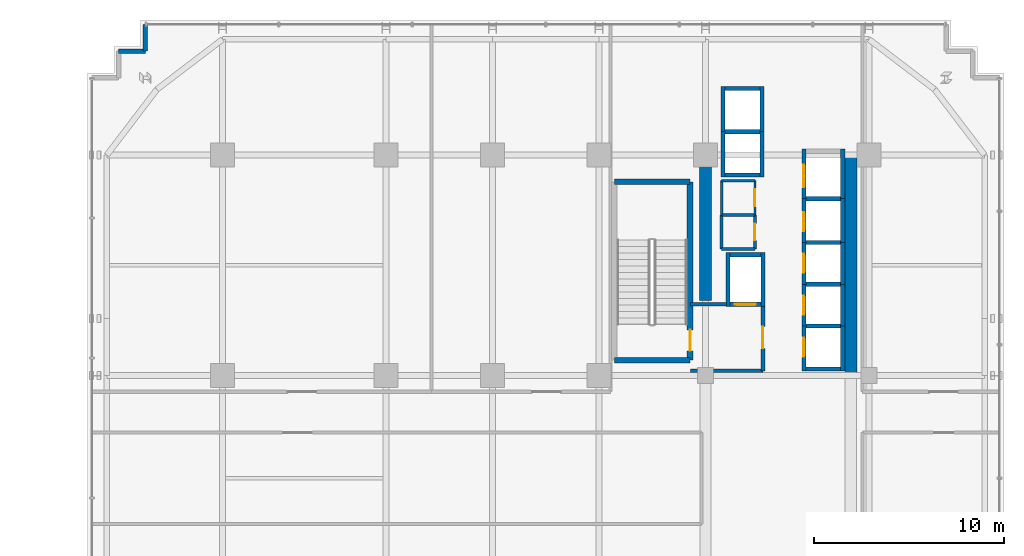
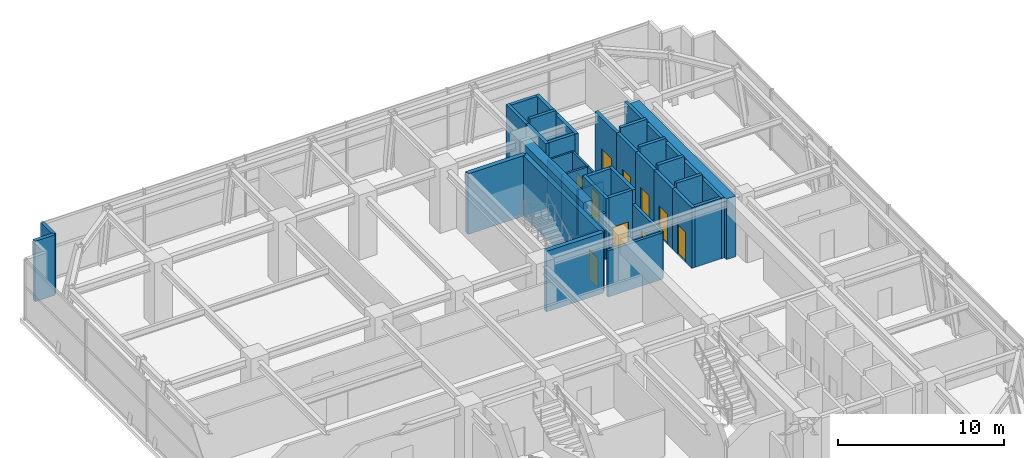
# One storey, part 22 of 26: 43 walls, 10 doors, 10 openings.
"""IFC4 building model written with IfcOpenShell, lengths in metres."""

from ifc_helpers import new_model, si_unit, direction, frame, frame_2d, origin, place, context, subcontext, project, spatial, rectangle, extrude, source, transform, mapped, material, layer, layer_set, type_object, element, fill, save


model = new_model("IFC4")

# Units and contexts
model_context = context("Model", 3, precision=1e-05, world=origin(), true_north=direction((0.0, 1.0)))
body_context = subcontext(model_context, "Body", "Model", "MODEL_VIEW")
ifc_project = project(units=[si_unit("LENGTHUNIT", "METRE"), si_unit("AREAUNIT", "SQUARE_METRE"), si_unit("VOLUMEUNIT", "CUBIC_METRE"), si_unit("PLANEANGLEUNIT", "RADIAN"), si_unit("MASSUNIT", "GRAM", prefix="KILO")], contexts=[model_context])

# Site, building, storey
site_placement = place(None, origin())
site = spatial("IfcSite", under=ifc_project, at=site_placement, CompositionType="ELEMENT")
building_placement = place(site_placement, origin())
building = spatial("IfcBuilding", under=site, at=building_placement, Name="Nahalor Promenade Grand Hotel", CompositionType="ELEMENT")
storey_placement = place(building_placement, frame((0.0, 0.0, 139.39990234375)))
storey = spatial("IfcBuildingStorey", under=building, at=storey_placement, Name="L35", CompositionType="ELEMENT", Elevation=139.39990234375)

# Walls
ifc_material_1 = material(Name="Concrete B-60 (C50/60)", Category="concrete")
ifc_layer_1 = layer(ifc_material_1, 0.64990234375)
ifc_layer_set_1 = layer_set([ifc_layer_1], Name="Concrete B-60 (C50/60)")
wall_type_1 = type_object("IfcWallType", Name="Wall-CoreShear-650", PredefinedType="SHEAR", material=ifc_layer_set_1)
shared_shape_1 = source(origin(), body_context, "Body", "SweptSolid", [
    extrude(rectangle(XDim=7.64990234375, YDim=0.64990234375, at=frame_2d((3.824951171875, 0.0))), origin(), (0.0, 0.0, 1.0), 4.440185546875),
])
wall_1_placement = place(storey_placement, frame((8.39990234375, 9.35009765625, 0.0), z_axis=(0.0, 0.0, 1.0), x_axis=(0.0, 1.0, 0.0)))
element("IfcWall", 1, at=wall_1_placement, inside=storey, type_object=wall_type_1, Name="CWALL-L35-NW", PredefinedType="SHEAR", context=body_context, shape_type="MappedRepresentation", body=[
    mapped(shared_shape_1, transform((0.0, 0.0, 0.0), scale=1.0)),
])
shared_shape_2 = source(origin(), body_context, "Body", "SweptSolid", [
    extrude(rectangle(XDim=11.60009765625, YDim=0.64990234375, at=frame_2d((5.800048828125, 0.0))), origin(), (0.0, 0.0, 1.0), 4.440185546875),
])
wall_2_placement = place(storey_placement, frame((16.050048828125, 5.39990234375, 0.0), z_axis=(0.0, 0.0, 1.0), x_axis=(0.0, 1.0, 0.0)))
element("IfcWall", 2, at=wall_2_placement, inside=storey, type_object=wall_type_1, Name="CWALL-L35-NE", PredefinedType="SHEAR", context=body_context, shape_type="MappedRepresentation", body=[
    mapped(shared_shape_2, transform((0.0, 0.0, 0.0), scale=1.0)),
])
ifc_material_2 = material(Name="Concrete B-50 (C40/50)", Category="concrete")
ifc_layer_2 = layer(ifc_material_2, 0.300048828125)
ifc_layer_set_2 = layer_set([ifc_layer_2], Name="Concrete B-50 (C40/50)")
wall_type_2 = type_object("IfcWallType", Name="Wall-ShaftShear-300", PredefinedType="SHEAR", material=ifc_layer_set_2)
shared_shape_3 = source(origin(), body_context, "Body", "SweptSolid", [
    extrude(rectangle(XDim=3.97998046875, YDim=0.300048828125, at=frame_2d((1.989990234375, 0.0))), origin(), (0.0, 0.0, 1.0), 4.440185546875),
])
for number, where, z_axis, x_axis, name in (
    (3, (3.610107421875, 6.2099609375, 0.0), (0.0, 0.0, 1.0), (1.0, 0.0, 0.0), "L35 Exit Stair ST1 Shaft Wall S"),
    (4, (3.610107421875, 15.590087890625, 0.0), (0.0, 0.0, 1.0), (1.0, 0.0, 0.0), "L35 Exit Stair ST1 Shaft Wall N"),
):
    element("IfcWall", number, at=place(storey_placement, frame(where, z_axis=z_axis, x_axis=x_axis)), inside=storey, type_object=wall_type_2, Name=name, PredefinedType="SHEAR", context=body_context, shape_type="MappedRepresentation", body=[
        mapped(shared_shape_3, transform((0.0, 0.0, 0.0), scale=1.0)),
    ])

# Wall, opening, door
shared_shape_4 = source(origin(), body_context, "Body", "SweptSolid", [
    extrude(rectangle(XDim=9.380126953125, YDim=0.300048828125, at=frame_2d((4.68994140625, 0.0))), origin(), (0.0, 0.0, 1.0), 4.440185546875),
])
wall_3_placement = place(storey_placement, frame((7.590087890625, 6.2099609375, 0.0), z_axis=(0.0, 0.0, 1.0), x_axis=(0.0, 1.0, 0.0)))
wall_3 = element("IfcWall", 5, at=wall_3_placement, inside=storey, type_object=wall_type_2, Name="L35 Exit Stair ST1 Shaft Wall E", PredefinedType="SHEAR", context=body_context, shape_type="MappedRepresentation", body=[
    mapped(shared_shape_4, transform((0.0, 0.0, 0.0), scale=1.0)),
])
opening_1_placement = place(wall_3_placement, frame((0.489990234375, 0.0, 0.0)))
opening_1 = element("IfcOpeningElement", 6, at=opening_1_placement, cuts=wall_3, Name="Opening D-ST1", PredefinedType="OPENING", context=body_context, shape_type="SweptSolid", body=[
    extrude(rectangle(XDim=1.10009765625, YDim=2.14990234375, at=frame_2d((0.550048828125, 1.074951171875))), frame((0.0, 0.159912109375, 0.0), z_axis=(0.0, -1.0, 0.0), x_axis=(1.0, 0.0, 0.0)), (0.0, 0.0, 1.0), 0.320068359375),
])
ifc_material_3 = material(Name="Steel S355JR", Category="steel")
door_type_1 = type_object("IfcDoorType", Name="Door-StairFire-1100", OperationType="NOTDEFINED", PredefinedType="DOOR", material=ifc_material_3)
shared_shape_5 = source(origin(), body_context, "Body", "SweptSolid", [
    extrude(rectangle(XDim=1.10009765625, YDim=2.14990234375, at=frame_2d((0.550048828125, 1.074951171875))), frame((0.0, 0.02490234375, 0.0), z_axis=(0.0, -1.0, 0.0), x_axis=(1.0, 0.0, 0.0)), (0.0, 0.0, 1.0), 0.050048828125),
])
door_1_placement = place(opening_1_placement, origin())
door_1 = element("IfcDoor", 7, at=door_1_placement, inside=storey, type_object=door_type_1, Name="DR-STAIR-ST1-L35", OperationType="SINGLE_SWING_RIGHT", OverallHeight=2.14990234375, OverallWidth=1.10009765625, PredefinedType="DOOR", context=body_context, shape_type="MappedRepresentation", body=[
    mapped(shared_shape_5, transform((0.0, 0.0, 0.0), scale=1.0)),
])
fill(opening_1, door_1)

# Walls
ifc_layer_3 = layer(ifc_material_2, 0.219970703125)
ifc_layer_set_3 = layer_set([ifc_layer_3], Name="Concrete B-50 (C40/50)")
wall_type_3 = type_object("IfcWallType", Name="Wall-LiftShaft-220", PredefinedType="SHEAR", material=ifc_layer_set_3)
shared_shape_6 = source(origin(), body_context, "Body", "SweptSolid", [
    extrude(rectangle(XDim=1.820068359375, YDim=0.219970703125, at=frame_2d((0.91015625, 0.0))), origin(), (0.0, 0.0, 1.0), 4.800048828125),
])
for number, where, z_axis, x_axis, name in (
    (8, (13.68994140625, 8.0, 0.0), (0.0, 0.0, 1.0), (1.0, 0.0, 0.0), "L35 Lift PL1 Hoistway Wall N"),
    (9, (13.68994140625, 10.199951171875, 0.0), (0.0, 0.0, 1.0), (1.0, 0.0, 0.0), "L35 Lift PL2 Hoistway Wall N"),
    (10, (13.68994140625, 12.39990234375, 0.0), (0.0, 0.0, 1.0), (1.0, 0.0, 0.0), "L35 Lift PL3 Hoistway Wall N"),
    (11, (13.68994140625, 14.699951171875, 0.0), (0.0, 0.0, 1.0), (1.0, 0.0, 0.0), "L35 Lift PL4 Hoistway Wall N"),
    (12, (9.43994140625, 18.22509765625, 0.0), (0.0, 0.0, 1.0), (1.0, 0.0, 0.0), "L35 Lift OB1 Hoistway Wall N"),
):
    element("IfcWall", number, at=place(storey_placement, frame(where, z_axis=z_axis, x_axis=x_axis)), inside=storey, type_object=wall_type_3, Name=name, PredefinedType="SHEAR", context=body_context, shape_type="MappedRepresentation", body=[
        mapped(shared_shape_6, transform((0.0, 0.0, 0.0), scale=1.0)),
    ])

# Wall, opening, door
shared_shape_7 = source(origin(), body_context, "Body", "SweptSolid", [
    extrude(rectangle(XDim=2.360107421875, YDim=0.219970703125, at=frame_2d((1.18017578125, 0.0))), origin(), (0.0, 0.0, 1.0), 4.440185546875),
])
wall_4_placement = place(storey_placement, frame((13.580078125, 5.639892578125, 0.0), z_axis=(0.0, 0.0, 1.0), x_axis=(0.0, 1.0, 0.0)))
wall_4 = element("IfcWall", 13, at=wall_4_placement, inside=storey, type_object=wall_type_3, Name="L35 Lift PL1 Hoistway Wall W", PredefinedType="SHEAR", context=body_context, shape_type="MappedRepresentation", body=[
    mapped(shared_shape_7, transform((0.0, 0.0, 0.0), scale=1.0)),
])
opening_2_placement = place(wall_4_placement, frame((0.760009765625, 0.0, 0.0)))
opening_2 = element("IfcOpeningElement", 14, at=opening_2_placement, cuts=wall_4, Name="Opening LD-01", PredefinedType="OPENING", context=body_context, shape_type="SweptSolid", body=[
    extrude(rectangle(XDim=1.0, YDim=2.199951171875, at=frame_2d((0.5, 1.10009765625))), frame((0.0, 0.119873046875, 0.0), z_axis=(0.0, -1.0, 0.0), x_axis=(1.0, 0.0, 0.0)), (0.0, 0.0, 1.0), 0.239990234375),
])
door_type_2 = type_object("IfcDoorType", Name="Door-LiftLanding-1000", OperationType="DOUBLE_DOOR_SLIDING", PredefinedType="DOOR", material=ifc_material_3)
shared_shape_8 = source(origin(), body_context, "Body", "SweptSolid", [
    extrude(rectangle(XDim=1.0, YDim=2.199951171875, at=frame_2d((0.5, 1.10009765625))), frame((0.0, 0.02490234375, 0.0), z_axis=(0.0, -1.0, 0.0), x_axis=(1.0, 0.0, 0.0)), (0.0, 0.0, 1.0), 0.050048828125),
])
door_2_placement = place(opening_2_placement, origin())
door_2 = element("IfcDoor", 15, at=door_2_placement, inside=storey, type_object=door_type_2, Name="DR-LIFT-PL1-L35", OperationType="DOUBLE_DOOR_SLIDING", OverallHeight=2.199951171875, OverallWidth=1.0, PredefinedType="DOOR", context=body_context, shape_type="MappedRepresentation", body=[
    mapped(shared_shape_8, transform((0.0, 0.0, 0.0), scale=1.0)),
])
fill(opening_2, door_2)

# Walls
wall_5_placement = place(storey_placement, frame((15.6201171875, 5.639892578125, 0.0), z_axis=(0.0, 0.0, 1.0), x_axis=(0.0, 1.0, 0.0)))
element("IfcWall", 16, at=wall_5_placement, inside=storey, type_object=wall_type_3, Name="L35 Lift PL1 Hoistway Wall E", PredefinedType="SHEAR", context=body_context, shape_type="MappedRepresentation", body=[
    mapped(shared_shape_7, transform((0.0, 0.0, 0.0), scale=1.0)),
])
shared_shape_9 = source(origin(), body_context, "Body", "SweptSolid", [
    extrude(rectangle(XDim=1.820068359375, YDim=0.219970703125, at=frame_2d((0.91015625, 0.0))), origin(), (0.0, 0.0, 1.0), 4.440185546875),
])
for number, where, z_axis, x_axis, name in (
    (17, (13.68994140625, 5.75, 0.0), (0.0, 0.0, 1.0), (1.0, 0.0, 0.0), "L35 Lift PL1 Hoistway Wall S"),
    (18, (9.43994140625, 15.949951171875, 0.0), (0.0, 0.0, 1.0), (1.0, 0.0, 0.0), "L35 Lift OB1 Hoistway Wall S"),
    (19, (9.43994140625, 20.5, 0.0), (0.0, 0.0, 1.0), (1.0, 0.0, 0.0), "L35 Lift OB2 Hoistway Wall N"),
):
    element("IfcWall", number, at=place(storey_placement, frame(where, z_axis=z_axis, x_axis=x_axis)), inside=storey, type_object=wall_type_3, Name=name, PredefinedType="SHEAR", context=body_context, shape_type="MappedRepresentation", body=[
        mapped(shared_shape_9, transform((0.0, 0.0, 0.0), scale=1.0)),
    ])

# Wall, opening, door
shared_shape_10 = source(origin(), body_context, "Body", "SweptSolid", [
    extrude(rectangle(XDim=2.199951171875, YDim=0.219970703125, at=frame_2d((1.10009765625, 0.0))), origin(), (0.0, 0.0, 1.0), 4.440185546875),
])
wall_6_placement = place(storey_placement, frame((13.580078125, 8.0, 0.0), z_axis=(0.0, 0.0, 1.0), x_axis=(0.0, 1.0, 0.0)))
wall_6 = element("IfcWall", 20, at=wall_6_placement, inside=storey, type_object=wall_type_3, Name="L35 Lift PL2 Hoistway Wall W", PredefinedType="SHEAR", context=body_context, shape_type="MappedRepresentation", body=[
    mapped(shared_shape_10, transform((0.0, 0.0, 0.0), scale=1.0)),
])
opening_3_placement = place(wall_6_placement, frame((0.60009765625, 0.0, 0.0)))
opening_3 = element("IfcOpeningElement", 21, at=opening_3_placement, cuts=wall_6, Name="Opening LD-01", PredefinedType="OPENING", context=body_context, shape_type="SweptSolid", body=[
    extrude(rectangle(XDim=1.0, YDim=2.199951171875, at=frame_2d((0.5, 1.10009765625))), frame((0.0, 0.119873046875, 0.0), z_axis=(0.0, -1.0, 0.0), x_axis=(1.0, 0.0, 0.0)), (0.0, 0.0, 1.0), 0.239990234375),
])
door_3_placement = place(opening_3_placement, origin())
door_3 = element("IfcDoor", 22, at=door_3_placement, inside=storey, type_object=door_type_2, Name="DR-LIFT-PL2-L35", OperationType="DOUBLE_DOOR_SLIDING", OverallHeight=2.199951171875, OverallWidth=1.0, PredefinedType="DOOR", context=body_context, shape_type="MappedRepresentation", body=[
    mapped(shared_shape_8, transform((0.0, 0.0, 0.0), scale=1.0)),
])
fill(opening_3, door_3)

# Wall
wall_7_placement = place(storey_placement, frame((15.6201171875, 8.0, 0.0), z_axis=(0.0, 0.0, 1.0), x_axis=(0.0, 1.0, 0.0)))
element("IfcWall", 23, at=wall_7_placement, inside=storey, type_object=wall_type_3, Name="L35 Lift PL2 Hoistway Wall E", PredefinedType="SHEAR", context=body_context, shape_type="MappedRepresentation", body=[
    mapped(shared_shape_10, transform((0.0, 0.0, 0.0), scale=1.0)),
])

# Wall, opening, door
wall_8_placement = place(storey_placement, frame((13.580078125, 10.199951171875, 0.0), z_axis=(0.0, 0.0, 1.0), x_axis=(0.0, 1.0, 0.0)))
wall_8 = element("IfcWall", 24, at=wall_8_placement, inside=storey, type_object=wall_type_3, Name="L35 Lift PL3 Hoistway Wall W", PredefinedType="SHEAR", context=body_context, shape_type="MappedRepresentation", body=[
    mapped(shared_shape_10, transform((0.0, 0.0, 0.0), scale=1.0)),
])
opening_4_placement = place(wall_8_placement, frame((0.60009765625, 0.0, 0.0)))
opening_4 = element("IfcOpeningElement", 25, at=opening_4_placement, cuts=wall_8, Name="Opening LD-01", PredefinedType="OPENING", context=body_context, shape_type="SweptSolid", body=[
    extrude(rectangle(XDim=1.0, YDim=2.199951171875, at=frame_2d((0.5, 1.10009765625))), frame((0.0, 0.119873046875, 0.0), z_axis=(0.0, -1.0, 0.0), x_axis=(1.0, 0.0, 0.0)), (0.0, 0.0, 1.0), 0.239990234375),
])
door_4_placement = place(opening_4_placement, origin())
door_4 = element("IfcDoor", 26, at=door_4_placement, inside=storey, type_object=door_type_2, Name="DR-LIFT-PL3-L35", OperationType="DOUBLE_DOOR_SLIDING", OverallHeight=2.199951171875, OverallWidth=1.0, PredefinedType="DOOR", context=body_context, shape_type="MappedRepresentation", body=[
    mapped(shared_shape_8, transform((0.0, 0.0, 0.0), scale=1.0)),
])
fill(opening_4, door_4)

# Wall
wall_9_placement = place(storey_placement, frame((15.6201171875, 10.199951171875, 0.0), z_axis=(0.0, 0.0, 1.0), x_axis=(0.0, 1.0, 0.0)))
element("IfcWall", 27, at=wall_9_placement, inside=storey, type_object=wall_type_3, Name="L35 Lift PL3 Hoistway Wall E", PredefinedType="SHEAR", context=body_context, shape_type="MappedRepresentation", body=[
    mapped(shared_shape_10, transform((0.0, 0.0, 0.0), scale=1.0)),
])

# Wall, opening, door
shared_shape_11 = source(origin(), body_context, "Body", "SweptSolid", [
    extrude(rectangle(XDim=2.300048828125, YDim=0.219970703125, at=frame_2d((1.14990234375, 0.0))), origin(), (0.0, 0.0, 1.0), 4.440185546875),
])
wall_10_placement = place(storey_placement, frame((13.580078125, 12.39990234375, 0.0), z_axis=(0.0, 0.0, 1.0), x_axis=(0.0, 1.0, 0.0)))
wall_10 = element("IfcWall", 28, at=wall_10_placement, inside=storey, type_object=wall_type_3, Name="L35 Lift PL4 Hoistway Wall W", PredefinedType="SHEAR", context=body_context, shape_type="MappedRepresentation", body=[
    mapped(shared_shape_11, transform((0.0, 0.0, 0.0), scale=1.0)),
])
opening_5_placement = place(wall_10_placement, frame((0.60009765625, 0.0, 0.0)))
opening_5 = element("IfcOpeningElement", 29, at=opening_5_placement, cuts=wall_10, Name="Opening LD-01", PredefinedType="OPENING", context=body_context, shape_type="SweptSolid", body=[
    extrude(rectangle(XDim=1.0, YDim=2.199951171875, at=frame_2d((0.5, 1.10009765625))), frame((0.0, 0.119873046875, 0.0), z_axis=(0.0, -1.0, 0.0), x_axis=(1.0, 0.0, 0.0)), (0.0, 0.0, 1.0), 0.239990234375),
])
door_5_placement = place(opening_5_placement, origin())
door_5 = element("IfcDoor", 30, at=door_5_placement, inside=storey, type_object=door_type_2, Name="DR-LIFT-PL4-L35", OperationType="DOUBLE_DOOR_SLIDING", OverallHeight=2.199951171875, OverallWidth=1.0, PredefinedType="DOOR", context=body_context, shape_type="MappedRepresentation", body=[
    mapped(shared_shape_8, transform((0.0, 0.0, 0.0), scale=1.0)),
])
fill(opening_5, door_5)

# Walls
wall_11_placement = place(storey_placement, frame((15.6201171875, 12.39990234375, 0.0), z_axis=(0.0, 0.0, 1.0), x_axis=(0.0, 1.0, 0.0)))
element("IfcWall", 31, at=wall_11_placement, inside=storey, type_object=wall_type_3, Name="L35 Lift PL4 Hoistway Wall E", PredefinedType="SHEAR", context=body_context, shape_type="MappedRepresentation", body=[
    mapped(shared_shape_11, transform((0.0, 0.0, 0.0), scale=1.0)),
])
shared_shape_12 = source(origin(), body_context, "Body", "SweptSolid", [
    extrude(rectangle(XDim=2.385009765625, YDim=0.219970703125, at=frame_2d((1.1923828125, 0.0))), origin(), (0.0, 0.0, 1.0), 4.440185546875),
])
for number, where, z_axis, x_axis, name in (
    (32, (9.330078125, 15.840087890625, 0.0), (0.0, 0.0, 1.0), (0.0, 1.0, 0.0), "L35 Lift OB1 Hoistway Wall W"),
    (33, (11.3701171875, 15.840087890625, 0.0), (0.0, 0.0, 1.0), (0.0, 1.0, 0.0), "L35 Lift OB1 Hoistway Wall E"),
    (34, (9.330078125, 18.22509765625, 0.0), (0.0, 0.0, 1.0), (0.0, 1.0, 0.0), "L35 Lift OB2 Hoistway Wall W"),
    (35, (11.3701171875, 18.22509765625, 0.0), (0.0, 0.0, 1.0), (0.0, 1.0, 0.0), "L35 Lift OB2 Hoistway Wall E"),
):
    element("IfcWall", number, at=place(storey_placement, frame(where, z_axis=z_axis, x_axis=x_axis)), inside=storey, type_object=wall_type_3, Name=name, PredefinedType="SHEAR", context=body_context, shape_type="MappedRepresentation", body=[
        mapped(shared_shape_12, transform((0.0, 0.0, 0.0), scale=1.0)),
    ])
shared_shape_13 = source(origin(), body_context, "Body", "SweptSolid", [
    extrude(rectangle(XDim=2.820068359375, YDim=0.219970703125, at=frame_2d((1.41015625, 0.0))), origin(), (0.0, 0.0, 1.0), 4.440185546875),
])
for number, where, z_axis, x_axis, name in (
    (36, (9.580078125, 9.0400390625, 0.0), (0.0, 0.0, 1.0), (0.0, 1.0, 0.0), "L35 Lift FL1 Hoistway Wall W"),
    (37, (11.419921875, 9.0400390625, 0.0), (0.0, 0.0, 1.0), (0.0, 1.0, 0.0), "L35 Lift FL1 Hoistway Wall E"),
):
    element("IfcWall", number, at=place(storey_placement, frame(where, z_axis=z_axis, x_axis=x_axis)), inside=storey, type_object=wall_type_3, Name=name, PredefinedType="SHEAR", context=body_context, shape_type="MappedRepresentation", body=[
        mapped(shared_shape_13, transform((0.0, 0.0, 0.0), scale=1.0)),
    ])

# Wall, opening, door
shared_shape_14 = source(origin(), body_context, "Body", "SweptSolid", [
    extrude(rectangle(XDim=1.6201171875, YDim=0.219970703125, at=frame_2d((0.81005859375, 0.0))), origin(), (0.0, 0.0, 1.0), 4.440185546875),
])
wall_12_placement = place(storey_placement, frame((9.68994140625, 9.14990234375, 0.0), z_axis=(0.0, 0.0, 1.0), x_axis=(1.0, 0.0, 0.0)))
wall_12 = element("IfcWall", 38, at=wall_12_placement, inside=storey, type_object=wall_type_3, Name="L35 Lift FL1 Hoistway Wall S", PredefinedType="SHEAR", context=body_context, shape_type="MappedRepresentation", body=[
    mapped(shared_shape_14, transform((0.0, 0.0, 0.0), scale=1.0)),
])
opening_6_placement = place(wall_12_placement, frame((0.260009765625, 0.0, 0.0)))
opening_6 = element("IfcOpeningElement", 39, at=opening_6_placement, cuts=wall_12, Name="Opening LD-02", PredefinedType="OPENING", context=body_context, shape_type="SweptSolid", body=[
    extrude(rectangle(XDim=1.10009765625, YDim=2.199951171875, at=frame_2d((0.550048828125, 1.10009765625))), frame((0.0, 0.119873046875, 0.0), z_axis=(0.0, -1.0, 0.0), x_axis=(1.0, 0.0, 0.0)), (0.0, 0.0, 1.0), 0.239990234375),
])
door_type_3 = type_object("IfcDoorType", Name="Door-LiftFF-1100", OperationType="DOUBLE_DOOR_SLIDING", PredefinedType="DOOR", material=ifc_material_3)
shared_shape_15 = source(origin(), body_context, "Body", "SweptSolid", [
    extrude(rectangle(XDim=1.10009765625, YDim=2.199951171875, at=frame_2d((0.550048828125, 1.10009765625))), frame((0.0, 0.02490234375, 0.0), z_axis=(0.0, -1.0, 0.0), x_axis=(1.0, 0.0, 0.0)), (0.0, 0.0, 1.0), 0.050048828125),
])
door_6_placement = place(opening_6_placement, frame((1.10009765625, 0.0, 0.0), z_axis=(0.0, 0.0, 1.0), x_axis=(-1.0, 0.0, 0.0)))
door_6 = element("IfcDoor", 40, at=door_6_placement, inside=storey, type_object=door_type_3, Name="DR-LIFT-FL1-L35", OperationType="DOUBLE_DOOR_SLIDING", OverallHeight=2.199951171875, OverallWidth=1.10009765625, PredefinedType="DOOR", context=body_context, shape_type="MappedRepresentation", body=[
    mapped(shared_shape_15, transform((0.0, 0.0, 0.0), scale=1.0)),
])
fill(opening_6, door_6)

# Wall
wall_13_placement = place(storey_placement, frame((9.68994140625, 11.75, 0.0), z_axis=(0.0, 0.0, 1.0), x_axis=(1.0, 0.0, 0.0)))
element("IfcWall", 41, at=wall_13_placement, inside=storey, type_object=wall_type_3, Name="L35 Lift FL1 Hoistway Wall N", PredefinedType="SHEAR", context=body_context, shape_type="MappedRepresentation", body=[
    mapped(shared_shape_14, transform((0.0, 0.0, 0.0), scale=1.0)),
])

# Wall, opening, door
shared_shape_16 = source(origin(), body_context, "Body", "SweptSolid", [
    extrude(rectangle(XDim=2.610107421875, YDim=0.219970703125, at=frame_2d((1.30517578125, 0.0))), origin(), (0.0, 0.0, 1.0), 4.440185546875),
])
wall_14_placement = place(storey_placement, frame((13.580078125, 14.699951171875, 0.0), z_axis=(0.0, 0.0, 1.0), x_axis=(0.0, 1.0, 0.0)))
wall_14 = element("IfcWall", 42, at=wall_14_placement, inside=storey, type_object=wall_type_3, Name="L35 Lift SV1 Hoistway Wall W", PredefinedType="SHEAR", context=body_context, shape_type="MappedRepresentation", body=[
    mapped(shared_shape_16, transform((0.0, 0.0, 0.0), scale=1.0)),
])
opening_7_placement = place(wall_14_placement, frame((0.60009765625, 0.0, 0.0)))
opening_7 = element("IfcOpeningElement", 43, at=opening_7_placement, cuts=wall_14, Name="Opening LD-03", PredefinedType="OPENING", context=body_context, shape_type="SweptSolid", body=[
    extrude(rectangle(XDim=1.199951171875, YDim=2.199951171875, at=frame_2d((0.60009765625, 1.10009765625))), frame((0.0, 0.119873046875, 0.0), z_axis=(0.0, -1.0, 0.0), x_axis=(1.0, 0.0, 0.0)), (0.0, 0.0, 1.0), 0.239990234375),
])
door_type_4 = type_object("IfcDoorType", Name="Door-LiftService-1200", OperationType="DOUBLE_DOOR_SLIDING", PredefinedType="DOOR", material=ifc_material_3)
shared_shape_17 = source(origin(), body_context, "Body", "SweptSolid", [
    extrude(rectangle(XDim=1.199951171875, YDim=2.199951171875, at=frame_2d((0.60009765625, 1.10009765625))), frame((0.0, 0.02490234375, 0.0), z_axis=(0.0, -1.0, 0.0), x_axis=(1.0, 0.0, 0.0)), (0.0, 0.0, 1.0), 0.050048828125),
])
door_7_placement = place(opening_7_placement, origin())
door_7 = element("IfcDoor", 44, at=door_7_placement, inside=storey, type_object=door_type_4, Name="DR-LIFT-SV1-L35", OperationType="DOUBLE_DOOR_SLIDING", OverallHeight=2.199951171875, OverallWidth=1.199951171875, PredefinedType="DOOR", context=body_context, shape_type="MappedRepresentation", body=[
    mapped(shared_shape_17, transform((0.0, 0.0, 0.0), scale=1.0)),
])
fill(opening_7, door_7)

# Walls
wall_15_placement = place(storey_placement, frame((15.6201171875, 14.699951171875, 0.0), z_axis=(0.0, 0.0, 1.0), x_axis=(0.0, 1.0, 0.0)))
element("IfcWall", 45, at=wall_15_placement, inside=storey, type_object=wall_type_3, Name="L35 Lift SV1 Hoistway Wall E", PredefinedType="SHEAR", context=body_context, shape_type="MappedRepresentation", body=[
    mapped(shared_shape_16, transform((0.0, 0.0, 0.0), scale=1.0)),
])
ifc_material_4 = material(Name="Concrete B-40 (C32/40)", Category="concrete")
ifc_layer_4 = layer(ifc_material_4, 0.25)
ifc_layer_set_4 = layer_set([ifc_layer_4], Name="Concrete B-40 (C32/40)")
wall_type_4 = type_object("IfcWallType", Name="Wall-BronzePier-250", PredefinedType="STANDARD", material=ifc_layer_set_4)
shared_shape_18 = source(origin(), body_context, "Body", "SweptSolid", [
    extrude(rectangle(XDim=1.400146484375, YDim=0.25, at=frame_2d((0.7001953125, 0.0))), origin(), (0.0, 0.0, 1.0), 4.440185546875),
])
wall_16_placement = place(storey_placement, frame((-21.06005859375, 22.4599609375, 0.0), z_axis=(0.0, 0.0, 1.0), x_axis=(0.0, 1.0, 0.0)))
element("IfcWall", 46, at=wall_16_placement, inside=storey, type_object=wall_type_4, Name="W-L35-SR-09", PredefinedType="STANDARD", context=body_context, shape_type="MappedRepresentation", body=[
    mapped(shared_shape_18, transform((0.0, 0.0, 0.0), scale=1.0)),
])
shared_shape_19 = source(origin(), body_context, "Body", "SweptSolid", [
    extrude(rectangle(XDim=1.39990234375, YDim=0.25, at=frame_2d((0.699951171875, 0.0))), origin(), (0.0, 0.0, 1.0), 4.440185546875),
])
wall_17_placement = place(storey_placement, frame((-22.4599609375, 22.4599609375, 0.0), z_axis=(0.0, 0.0, 1.0), x_axis=(1.0, 0.0, 0.0)))
element("IfcWall", 47, at=wall_17_placement, inside=storey, type_object=wall_type_4, Name="W-L35-SR-10", PredefinedType="STANDARD", context=body_context, shape_type="MappedRepresentation", body=[
    mapped(shared_shape_19, transform((0.0, 0.0, 0.0), scale=1.0)),
])
ifc_layer_5 = layer(ifc_material_4, 0.199951171875)
ifc_layer_set_5 = layer_set([ifc_layer_5], Name="Concrete B-40 (C32/40)")
wall_type_5 = type_object("IfcWallType", Name="Wall-PartFire-200", PredefinedType="PARTITIONING", material=ifc_layer_set_5)
shared_shape_20 = source(origin(), body_context, "Body", "SweptSolid", [
    extrude(rectangle(XDim=3.81982421875, YDim=0.199951171875, at=frame_2d((1.909912109375, 0.0))), origin(), (0.0, 0.0, 1.0), 3.400146484375),
])
wall_18_placement = place(storey_placement, frame((7.60009765625, 5.64990234375, 0.0), z_axis=(0.0, 0.0, 1.0), x_axis=(1.0, 0.0, 0.0)))
element("IfcWall", 48, at=wall_18_placement, inside=storey, type_object=wall_type_5, Name="W-L35-FF1-S", PredefinedType="PARTITIONING", context=body_context, shape_type="MappedRepresentation", body=[
    mapped(shared_shape_20, transform((0.0, 0.0, 0.0), scale=1.0)),
])
shared_shape_21 = source(origin(), body_context, "Body", "SweptSolid", [
    extrude(rectangle(XDim=1.89990234375, YDim=0.199951171875, at=frame_2d((0.949951171875, 0.0))), origin(), (0.0, 0.0, 1.0), 3.400146484375),
])
wall_19_placement = place(storey_placement, frame((7.60009765625, 9.14990234375, 0.0), z_axis=(0.0, 0.0, 1.0), x_axis=(1.0, 0.0, 0.0)))
element("IfcWall", 49, at=wall_19_placement, inside=storey, type_object=wall_type_5, Name="W-L35-FF1-N", PredefinedType="PARTITIONING", context=body_context, shape_type="MappedRepresentation", body=[
    mapped(shared_shape_21, transform((0.0, 0.0, 0.0), scale=1.0)),
])

# Wall, opening, door
shared_shape_22 = source(origin(), body_context, "Body", "SweptSolid", [
    extrude(rectangle(XDim=3.5, YDim=0.199951171875, at=frame_2d((1.75, 0.0))), origin(), (0.0, 0.0, 1.0), 3.400146484375),
])
wall_20_placement = place(storey_placement, frame((11.419921875, 5.64990234375, 0.0), z_axis=(0.0, 0.0, 1.0), x_axis=(0.0, 1.0, 0.0)))
wall_20 = element("IfcWall", 50, at=wall_20_placement, inside=storey, type_object=wall_type_5, Name="W-L35-FF1-E", PredefinedType="PARTITIONING", context=body_context, shape_type="MappedRepresentation", body=[
    mapped(shared_shape_22, transform((0.0, 0.0, 0.0), scale=1.0)),
])
opening_8_placement = place(wall_20_placement, frame((1.175048828125, 0.0, 0.0)))
opening_8 = element("IfcOpeningElement", 51, at=opening_8_placement, cuts=wall_20, Name="Opening D-FF1", PredefinedType="OPENING", context=body_context, shape_type="SweptSolid", body=[
    extrude(rectangle(XDim=1.14990234375, YDim=2.14990234375, at=frame_2d((0.574951171875, 1.074951171875))), frame((0.0, 0.10986328125, 0.0), z_axis=(0.0, -1.0, 0.0), x_axis=(1.0, 0.0, 0.0)), (0.0, 0.0, 1.0), 0.219970703125),
])
door_type_5 = type_object("IfcDoorType", Name="Door-FFLobby-1150", OperationType="NOTDEFINED", PredefinedType="DOOR", material=ifc_material_3)
shared_shape_23 = source(origin(), body_context, "Body", "SweptSolid", [
    extrude(rectangle(XDim=1.14990234375, YDim=2.14990234375, at=frame_2d((0.574951171875, 1.074951171875))), frame((0.0, 0.02490234375, 0.0), z_axis=(0.0, -1.0, 0.0), x_axis=(1.0, 0.0, 0.0)), (0.0, 0.0, 1.0), 0.050048828125),
])
door_8_placement = place(opening_8_placement, frame((1.14990234375, 0.0, 0.0), z_axis=(0.0, 0.0, 1.0), x_axis=(-1.0, 0.0, 0.0)))
door_8 = element("IfcDoor", 52, at=door_8_placement, inside=storey, type_object=door_type_5, Name="DR-L35-FFL1", OperationType="SINGLE_SWING_RIGHT", OverallHeight=2.14990234375, OverallWidth=1.14990234375, PredefinedType="DOOR", context=body_context, shape_type="MappedRepresentation", body=[
    mapped(shared_shape_23, transform((0.0, 0.0, 0.0), scale=1.0)),
])
fill(opening_8, door_8)

# Walls
ifc_material_5 = material(Name="Acoustic Mineral Gypsum", Category="gypsum")
ifc_layer_6 = layer(ifc_material_5, 0.14990234375)
ifc_layer_set_6 = layer_set([ifc_layer_6], Name="Acoustic Mineral Gypsum")
wall_type_6 = type_object("IfcWallType", Name="Wall-PartService-150", PredefinedType="PARTITIONING", material=ifc_layer_set_6)
shared_shape_24 = source(origin(), body_context, "Body", "SweptSolid", [
    extrude(rectangle(XDim=1.75, YDim=0.14990234375, at=frame_2d((0.875, 0.0))), origin(), (0.0, 0.0, 1.0), 3.400146484375),
])
for number, where, z_axis, x_axis, name in (
    (53, (9.25, 12.050048828125, 0.0), (0.0, 0.0, 1.0), (1.0, 0.0, 0.0), "W-L35-CK2A-S"),
    (54, (9.25, 13.85009765625, 0.0), (0.0, 0.0, 1.0), (1.0, 0.0, 0.0), "W-L35-CK2A-N"),
):
    element("IfcWall", number, at=place(storey_placement, frame(where, z_axis=z_axis, x_axis=x_axis)), inside=storey, type_object=wall_type_6, Name=name, PredefinedType="PARTITIONING", context=body_context, shape_type="MappedRepresentation", body=[
        mapped(shared_shape_24, transform((0.0, 0.0, 0.0), scale=1.0)),
    ])
ifc_layer_7 = layer(ifc_material_5, 0.1201171875)
ifc_layer_set_7 = layer_set([ifc_layer_7], Name="Acoustic Mineral Gypsum")
wall_type_7 = type_object("IfcWallType", Name="Wall-PartBath-120", PredefinedType="PARTITIONING", material=ifc_layer_set_7)
shared_shape_25 = source(origin(), body_context, "Body", "SweptSolid", [
    extrude(rectangle(XDim=1.75, YDim=0.1201171875, at=frame_2d((0.875, 0.0))), origin(), (0.0, 0.0, 1.0), 3.400146484375),
])
wall_21_placement = place(storey_placement, frame((9.25, 15.64990234375, 0.0), z_axis=(0.0, 0.0, 1.0), x_axis=(1.0, 0.0, 0.0)))
element("IfcWall", 55, at=wall_21_placement, inside=storey, type_object=wall_type_7, Name="W-L35-CK2B-N", PredefinedType="PARTITIONING", context=body_context, shape_type="MappedRepresentation", body=[
    mapped(shared_shape_25, transform((0.0, 0.0, 0.0), scale=1.0)),
])
shared_shape_26 = source(origin(), body_context, "Body", "SweptSolid", [
    extrude(rectangle(XDim=1.800048828125, YDim=0.14990234375, at=frame_2d((0.89990234375, 0.0))), origin(), (0.0, 0.0, 1.0), 3.400146484375),
])
wall_22_placement = place(storey_placement, frame((9.25, 12.050048828125, 0.0), z_axis=(0.0, 0.0, 1.0), x_axis=(0.0, 1.0, 0.0)))
element("IfcWall", 56, at=wall_22_placement, inside=storey, type_object=wall_type_6, Name="W-L35-CK2A-W", PredefinedType="PARTITIONING", context=body_context, shape_type="MappedRepresentation", body=[
    mapped(shared_shape_26, transform((0.0, 0.0, 0.0), scale=1.0)),
])

# Wall, opening, door
wall_23_placement = place(storey_placement, frame((11.0, 12.050048828125, 0.0), z_axis=(0.0, 0.0, 1.0), x_axis=(0.0, 1.0, 0.0)))
wall_23 = element("IfcWall", 57, at=wall_23_placement, inside=storey, type_object=wall_type_6, Name="W-L35-CK2A-E", PredefinedType="PARTITIONING", context=body_context, shape_type="MappedRepresentation", body=[
    mapped(shared_shape_26, transform((0.0, 0.0, 0.0), scale=1.0)),
])
opening_9_placement = place(wall_23_placement, frame((0.4599609375, 0.0, 0.0)))
opening_9 = element("IfcOpeningElement", 58, at=opening_9_placement, cuts=wall_23, Name="Opening D-03", PredefinedType="OPENING", context=body_context, shape_type="SweptSolid", body=[
    extrude(rectangle(XDim=0.8798828125, YDim=2.10009765625, at=frame_2d((0.43994140625, 1.050048828125))), frame((0.0, 0.0849609375, 0.0), z_axis=(0.0, -1.0, 0.0), x_axis=(1.0, 0.0, 0.0)), (0.0, 0.0, 1.0), 0.169921875),
])
ifc_material_6 = material(Name="Fire-Rated Timber Composite", Category="wood")
door_type_6 = type_object("IfcDoorType", Name="Door-BathSwing-880", OperationType="NOTDEFINED", PredefinedType="DOOR", material=ifc_material_6)
shared_shape_27 = source(origin(), body_context, "Body", "SweptSolid", [
    extrude(rectangle(XDim=0.8798828125, YDim=2.10009765625, at=frame_2d((0.43994140625, 1.050048828125))), frame((0.0, 0.02490234375, 0.0), z_axis=(0.0, -1.0, 0.0), x_axis=(1.0, 0.0, 0.0)), (0.0, 0.0, 1.0), 0.050048828125),
])
door_9_placement = place(opening_9_placement, origin())
door_9 = element("IfcDoor", 59, at=door_9_placement, inside=storey, type_object=door_type_6, Name="DR-L35-CK2A", OperationType="SINGLE_SWING_RIGHT", OverallHeight=2.10009765625, OverallWidth=0.8798828125, PredefinedType="DOOR", context=body_context, shape_type="MappedRepresentation", body=[
    mapped(shared_shape_27, transform((0.0, 0.0, 0.0), scale=1.0)),
])
fill(opening_9, door_9)

# Wall
shared_shape_28 = source(origin(), body_context, "Body", "SweptSolid", [
    extrude(rectangle(XDim=1.7998046875, YDim=0.1201171875, at=frame_2d((0.89990234375, 0.0))), origin(), (0.0, 0.0, 1.0), 3.400146484375),
])
wall_24_placement = place(storey_placement, frame((9.25, 13.85009765625, 0.0), z_axis=(0.0, 0.0, 1.0), x_axis=(0.0, 1.0, 0.0)))
element("IfcWall", 60, at=wall_24_placement, inside=storey, type_object=wall_type_7, Name="W-L35-CK2B-W", PredefinedType="PARTITIONING", context=body_context, shape_type="MappedRepresentation", body=[
    mapped(shared_shape_28, transform((0.0, 0.0, 0.0), scale=1.0)),
])

# Wall, opening, door
wall_25_placement = place(storey_placement, frame((11.0, 13.85009765625, 0.0), z_axis=(0.0, 0.0, 1.0), x_axis=(0.0, 1.0, 0.0)))
wall_25 = element("IfcWall", 61, at=wall_25_placement, inside=storey, type_object=wall_type_7, Name="W-L35-CK2B-E", PredefinedType="PARTITIONING", context=body_context, shape_type="MappedRepresentation", body=[
    mapped(shared_shape_28, transform((0.0, 0.0, 0.0), scale=1.0)),
])
opening_10_placement = place(wall_25_placement, frame((0.4599609375, 0.0, 0.0)))
opening_10 = element("IfcOpeningElement", 62, at=opening_10_placement, cuts=wall_25, Name="Opening D-03", PredefinedType="OPENING", context=body_context, shape_type="SweptSolid", body=[
    extrude(rectangle(XDim=0.8798828125, YDim=2.10009765625, at=frame_2d((0.43994140625, 1.050048828125))), frame((0.0, 0.070068359375, 0.0), z_axis=(0.0, -1.0, 0.0), x_axis=(1.0, 0.0, 0.0)), (0.0, 0.0, 1.0), 0.14013671875),
])
door_10_placement = place(opening_10_placement, origin())
door_10 = element("IfcDoor", 63, at=door_10_placement, inside=storey, type_object=door_type_6, Name="DR-L35-CK2B", OperationType="SINGLE_SWING_LEFT", OverallHeight=2.10009765625, OverallWidth=0.8798828125, PredefinedType="DOOR", context=body_context, shape_type="MappedRepresentation", body=[
    mapped(shared_shape_27, transform((0.0, 0.0, 0.0), scale=1.0)),
])
fill(opening_10, door_10)

save(model, "model.ifc")
